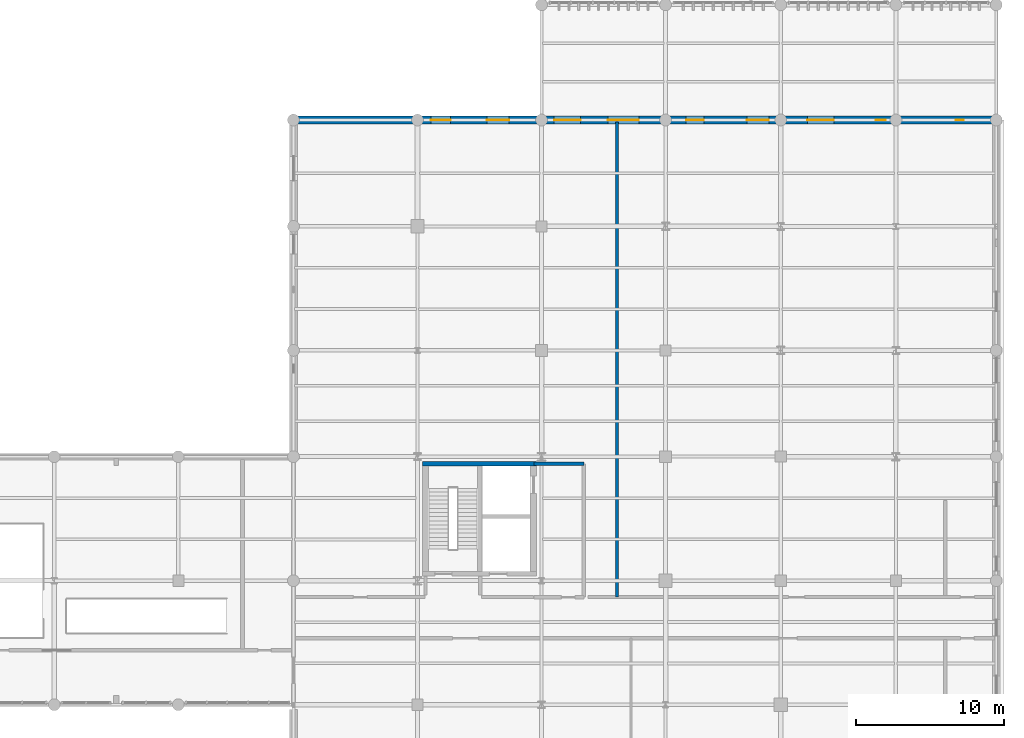
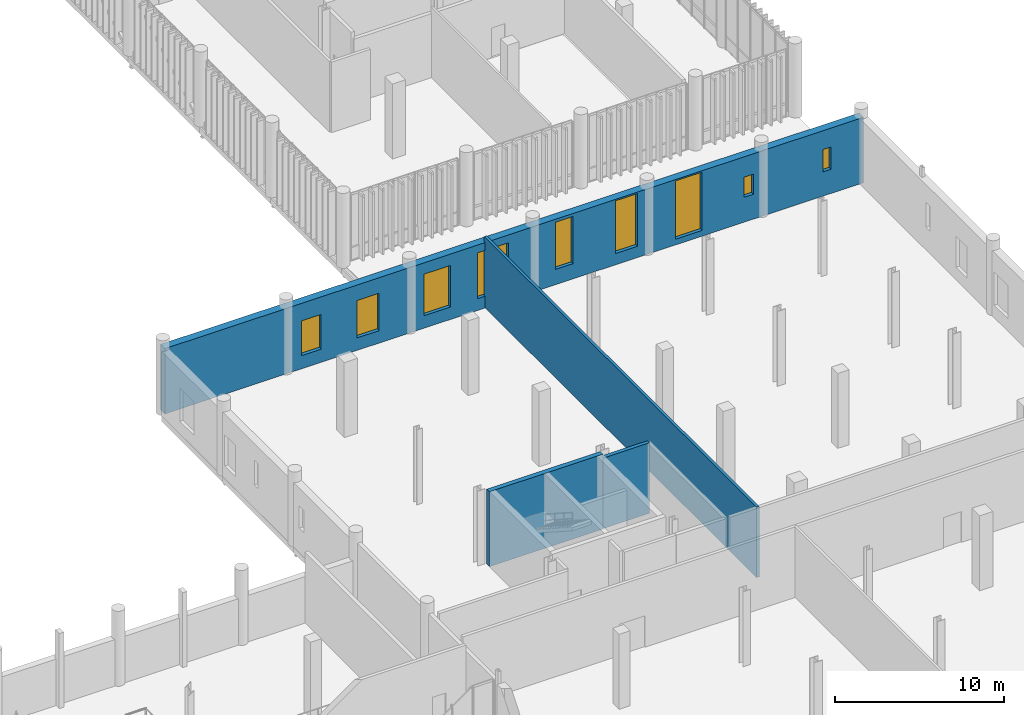
# One storey, part 112 of 128: 9 windows, 4 walls, 9 openings.
"""IFC4 building model written with IfcOpenShell, lengths in metres."""

from ifc_helpers import new_model, si_unit, direction, frame, frame_2d, origin_with_axes, place, context, subcontext, project, spatial, rectangle, extrude, material, layer, layer_set, type_object, element, fill, save


model = new_model("IFC4")

# Units and contexts
model_context = context("Model", 3, precision=1e-05, world=origin_with_axes(), true_north=direction((0.0, 1.0)))
body_context = subcontext(model_context, "Body", "Model", "MODEL_VIEW")
ifc_project = project(units=[si_unit("LENGTHUNIT", "METRE"), si_unit("AREAUNIT", "SQUARE_METRE"), si_unit("VOLUMEUNIT", "CUBIC_METRE"), si_unit("PLANEANGLEUNIT", "RADIAN"), si_unit("MASSUNIT", "GRAM", prefix="KILO"), si_unit("THERMODYNAMICTEMPERATUREUNIT", "KELVIN")], contexts=[model_context])

# Site, building, storey
site_placement = place(None, origin_with_axes())
site = spatial("IfcSite", under=ifc_project, at=site_placement, CompositionType="ELEMENT")
building_placement = place(site_placement, origin_with_axes())
building = spatial("IfcBuilding", under=site, at=building_placement, Name="Montbau Bow Law Courts", CompositionType="ELEMENT")
storey_placement = place(building_placement, frame((0.0, 0.0, 5.4), z_axis=(0.0, 0.0, 1.0), x_axis=(1.0, 0.0, 0.0)))
storey = spatial("IfcBuildingStorey", under=building, at=storey_placement, Name="L01", CompositionType="ELEMENT", Elevation=5.4)

# Wall
ifc_material_1 = material(Name="Concrete CSA A23.1 f'c 45 MPa", Category="concrete")
ifc_layer_1 = layer(ifc_material_1, 0.32, Name="Shear Wall", Category="concrete")
ifc_layer_set_1 = layer_set([ifc_layer_1], Name="Concrete CSA A23.1 f'c 45 MPa")
wall_type_1 = type_object("IfcWallType", Name="W-COR-05", PredefinedType="SHEAR", material=ifc_layer_set_1)
wall_1_placement = place(None, frame((138.27, 38.52, 5.4), z_axis=(0.0, 0.0, 1.0), x_axis=(-1.0, 0.0, 0.0)))
element("IfcWall", 1, at=wall_1_placement, inside=storey, type_object=wall_type_1, Name="WC-L01-0499:wal_0566", PredefinedType="SHEAR", context=body_context, shape_type="SweptSolid", body=[
    extrude(rectangle(XDim=7.740000000000009, YDim=0.32, at=frame_2d((3.87, 0.0), x_axis=(1.0, 0.0))), origin_with_axes(), (0.0, 0.0, 1.0), 5.4),
])

# Wall, openings, windows
ifc_material_2 = material(Name="Canmore Rundlestone Plinth Masonry on Concrete Backing CSA A23.1 f'c 35 MPa", Category="masonry")
ifc_layer_2 = layer(ifc_material_2, 0.52, Name="Solid Wall", Category="masonry")
ifc_layer_set_2 = layer_set([ifc_layer_2], Name="Canmore Rundlestone Plinth Masonry on Concrete Backing CSA A23.1 f'c 35 MPa")
wall_type_2 = type_object("IfcWallType", Name="W-EXT-02", PredefinedType="SOLIDWALL", material=ifc_layer_set_2)
wall_2_placement = place(None, frame((169.4, 61.8, 5.4), z_axis=(0.0, 0.0, 1.0), x_axis=(-1.0, 0.0, 0.0)))
wall_2 = element("IfcWall", 2, at=wall_2_placement, inside=storey, type_object=wall_type_2, Name="WE-L01-016:wal_0033", PredefinedType="SOLIDWALL", context=body_context, shape_type="SweptSolid", body=[
    extrude(rectangle(XDim=47.60000000000001, YDim=0.52, at=frame_2d((23.8, 0.0), x_axis=(1.0, 0.0))), origin_with_axes(), (0.0, 0.0, 1.0), 4.714),
])
opening_1_placement = place(None, frame((166.925, 61.8, 7.15), z_axis=(0.0, 0.0, 1.0), x_axis=(-1.0, 0.0, 0.0)))
opening_1 = element("IfcOpeningElement", 3, at=opening_1_placement, cuts=wall_2, Name="OP-WN-L01-083", PredefinedType="OPENING", context=body_context, shape_type="SweptSolid", body=[
    extrude(rectangle(XDim=0.55, YDim=1.6, at=frame_2d((0.0, 0.8), x_axis=(1.0, 0.0))), frame((0.0, 0.27, 0.0), z_axis=(0.0, -1.0, 0.0), x_axis=(1.0, 0.0, 0.0)), (0.0, 0.0, 1.0), 0.54),
])
opening_2_placement = place(None, frame((161.575, 61.8, 7.2), z_axis=(0.0, 0.0, 1.0), x_axis=(-1.0, 0.0, 0.0)))
opening_2 = element("IfcOpeningElement", 4, at=opening_2_placement, cuts=wall_2, Name="OP-WN-L01-084", PredefinedType="OPENING", context=body_context, shape_type="SweptSolid", body=[
    extrude(rectangle(XDim=0.65, YDim=1.45, at=frame_2d((0.0, 0.725), x_axis=(1.0, 0.0))), frame((0.0, 0.27, 0.0), z_axis=(0.0, -1.0, 0.0), x_axis=(1.0, 0.0, 0.0)), (0.0, 0.0, 1.0), 0.54),
])
opening_3_placement = place(None, frame((157.5, 61.8, 5.814), z_axis=(0.0, 0.0, 1.0), x_axis=(-1.0, 0.0, 0.0)))
opening_3 = element("IfcOpeningElement", 5, at=opening_3_placement, cuts=wall_2, Name="OP-WN-L01-085", PredefinedType="OPENING", context=body_context, shape_type="SweptSolid", body=[
    extrude(rectangle(XDim=1.8, YDim=4.2, at=frame_2d((0.0, 2.1), x_axis=(1.0, 0.0))), frame((0.0, 0.27, 0.0), z_axis=(0.0, -1.0, 0.0), x_axis=(1.0, 0.0, 0.0)), (0.0, 0.0, 1.0), 0.54),
])
opening_4_placement = place(None, frame((153.25, 61.8, 6.214), z_axis=(0.0, 0.0, 1.0), x_axis=(-1.0, 0.0, 0.0)))
opening_4 = element("IfcOpeningElement", 6, at=opening_4_placement, cuts=wall_2, Name="OP-WN-L01-086", PredefinedType="OPENING", context=body_context, shape_type="SweptSolid", body=[
    extrude(rectangle(XDim=1.5, YDim=3.8, at=frame_2d((0.0, 1.9), x_axis=(1.0, 0.0))), frame((0.0, 0.27, 0.0), z_axis=(0.0, -1.0, 0.0), x_axis=(1.0, 0.0, 0.0)), (0.0, 0.0, 1.0), 0.54),
])
opening_5_placement = place(None, frame((149.0, 61.8, 6.5), z_axis=(0.0, 0.0, 1.0), x_axis=(-1.0, 0.0, 0.0)))
opening_5 = element("IfcOpeningElement", 7, at=opening_5_placement, cuts=wall_2, Name="OP-WN-L01-087", PredefinedType="OPENING", context=body_context, shape_type="SweptSolid", body=[
    extrude(rectangle(XDim=1.2, YDim=3.4, at=frame_2d((0.0, 1.7), x_axis=(1.0, 0.0))), frame((0.0, 0.27, 0.0), z_axis=(0.0, -1.0, 0.0), x_axis=(1.0, 0.0, 0.0)), (0.0, 0.0, 1.0), 0.54),
])
opening_6_placement = place(None, frame((144.15, 61.8, 6.25), z_axis=(0.0, 0.0, 1.0), x_axis=(-1.0, 0.0, 0.0)))
opening_6 = element("IfcOpeningElement", 8, at=opening_6_placement, cuts=wall_2, Name="OP-WN-L01-088", PredefinedType="OPENING", context=body_context, shape_type="SweptSolid", body=[
    extrude(rectangle(XDim=2.1, YDim=3.3, at=frame_2d((0.0, 1.65), x_axis=(1.0, 0.0))), frame((0.0, 0.27, 0.0), z_axis=(0.0, -1.0, 0.0), x_axis=(1.0, 0.0, 0.0)), (0.0, 0.0, 1.0), 0.54),
])
opening_7_placement = place(None, frame((140.35, 61.8, 6.3), z_axis=(0.0, 0.0, 1.0), x_axis=(-1.0, 0.0, 0.0)))
opening_7 = element("IfcOpeningElement", 9, at=opening_7_placement, cuts=wall_2, Name="OP-WN-L01-089", PredefinedType="OPENING", context=body_context, shape_type="SweptSolid", body=[
    extrude(rectangle(XDim=1.8, YDim=3.0, at=frame_2d((0.0, 1.5), x_axis=(1.0, 0.0))), frame((0.0, 0.27, 0.0), z_axis=(0.0, -1.0, 0.0), x_axis=(1.0, 0.0, 0.0)), (0.0, 0.0, 1.0), 0.54),
])
opening_8_placement = place(None, frame((135.65, 61.8, 6.3), z_axis=(0.0, 0.0, 1.0), x_axis=(-1.0, 0.0, 0.0)))
opening_8 = element("IfcOpeningElement", 10, at=opening_8_placement, cuts=wall_2, Name="OP-WN-L01-090", PredefinedType="OPENING", context=body_context, shape_type="SweptSolid", body=[
    extrude(rectangle(XDim=1.5, YDim=2.7, at=frame_2d((0.0, 1.35), x_axis=(1.0, 0.0))), frame((0.0, 0.27, 0.0), z_axis=(0.0, -1.0, 0.0), x_axis=(1.0, 0.0, 0.0)), (0.0, 0.0, 1.0), 0.54),
])
opening_9_placement = place(None, frame((131.775, 61.8, 6.35), z_axis=(0.0, 0.0, 1.0), x_axis=(-1.0, 0.0, 0.0)))
opening_9 = element("IfcOpeningElement", 11, at=opening_9_placement, cuts=wall_2, Name="OP-WN-L01-091", PredefinedType="OPENING", context=body_context, shape_type="SweptSolid", body=[
    extrude(rectangle(XDim=1.35, YDim=2.5, at=frame_2d((0.0, 1.25), x_axis=(1.0, 0.0))), frame((0.0, 0.27, 0.0), z_axis=(0.0, -1.0, 0.0), x_axis=(1.0, 0.0, 0.0)), (0.0, 0.0, 1.0), 0.54),
])
ifc_material_3 = material(Name="Triple-Glazed Low-E Argon Insulating Glass Unit", Category="glass")
window_type_1 = type_object("IfcWindowType", Name="WN-CER-01", ParameterTakesPrecedence=False, PartitioningType="SINGLE_PANEL", PredefinedType="WINDOW", material=ifc_material_3)
window_1_placement = place(None, frame((157.5, 61.8, 5.814), z_axis=(0.0, 0.0, 1.0), x_axis=(-1.0, 0.0, 0.0)))
window_1 = element("IfcWindow", 12, at=window_1_placement, inside=storey, type_object=window_type_1, Name="WN-L01-085:win_0085", OverallHeight=4.2, OverallWidth=1.8, PartitioningType="SINGLE_PANEL", PredefinedType="WINDOW", context=body_context, shape_type="SweptSolid", body=[
    extrude(rectangle(XDim=1.8, YDim=4.2, at=frame_2d((0.0, 2.1), x_axis=(1.0, 0.0))), frame((0.0, 0.03, 0.0), z_axis=(0.0, -1.0, 0.0), x_axis=(1.0, 0.0, 0.0)), (0.0, 0.0, 1.0), 0.06),
])
fill(opening_3, window_1)
window_type_2 = type_object("IfcWindowType", Name="WN-CER-02", ParameterTakesPrecedence=False, PartitioningType="SINGLE_PANEL", PredefinedType="WINDOW", material=ifc_material_3)
window_2_placement = place(None, frame((153.25, 61.8, 6.214), z_axis=(0.0, 0.0, 1.0), x_axis=(-1.0, 0.0, 0.0)))
window_2 = element("IfcWindow", 13, at=window_2_placement, inside=storey, type_object=window_type_2, Name="WN-L01-086:win_0086", OverallHeight=3.8, OverallWidth=1.5, PartitioningType="SINGLE_PANEL", PredefinedType="WINDOW", context=body_context, shape_type="SweptSolid", body=[
    extrude(rectangle(XDim=1.5, YDim=3.8, at=frame_2d((0.0, 1.9), x_axis=(1.0, 0.0))), frame((0.0, 0.03, 0.0), z_axis=(0.0, -1.0, 0.0), x_axis=(1.0, 0.0, 0.0)), (0.0, 0.0, 1.0), 0.06),
])
fill(opening_4, window_2)
window_type_3 = type_object("IfcWindowType", Name="WN-CER-03", ParameterTakesPrecedence=False, PartitioningType="SINGLE_PANEL", PredefinedType="WINDOW", material=ifc_material_3)
window_3_placement = place(None, frame((149.0, 61.8, 6.5), z_axis=(0.0, 0.0, 1.0), x_axis=(-1.0, 0.0, 0.0)))
window_3 = element("IfcWindow", 14, at=window_3_placement, inside=storey, type_object=window_type_3, Name="WN-L01-087:win_0087", OverallHeight=3.4, OverallWidth=1.2, PartitioningType="SINGLE_PANEL", PredefinedType="WINDOW", context=body_context, shape_type="SweptSolid", body=[
    extrude(rectangle(XDim=1.2, YDim=3.4, at=frame_2d((0.0, 1.7), x_axis=(1.0, 0.0))), frame((0.0, 0.03, 0.0), z_axis=(0.0, -1.0, 0.0), x_axis=(1.0, 0.0, 0.0)), (0.0, 0.0, 1.0), 0.06),
])
fill(opening_5, window_3)
ifc_material_4 = material(Name="Laminated Ballistic-Resistant Triple Security Glazing", Category="glass")
window_type_4 = type_object("IfcWindowType", Name="WN-CUS-02", ParameterTakesPrecedence=False, PartitioningType="SINGLE_PANEL", PredefinedType="WINDOW", material=ifc_material_4)
window_4_placement = place(None, frame((166.925, 61.8, 7.15), z_axis=(0.0, 0.0, 1.0), x_axis=(-1.0, 0.0, 0.0)))
window_4 = element("IfcWindow", 15, at=window_4_placement, inside=storey, type_object=window_type_4, Name="WN-L01-083:win_0083", OverallHeight=1.6, OverallWidth=0.55, PartitioningType="SINGLE_PANEL", PredefinedType="WINDOW", context=body_context, shape_type="SweptSolid", body=[
    extrude(rectangle(XDim=0.55, YDim=1.6, at=frame_2d((0.0, 0.8), x_axis=(1.0, 0.0))), frame((0.0, 0.03, 0.0), z_axis=(0.0, -1.0, 0.0), x_axis=(1.0, 0.0, 0.0)), (0.0, 0.0, 1.0), 0.06),
])
fill(opening_1, window_4)
window_type_5 = type_object("IfcWindowType", Name="WN-CUS-03", ParameterTakesPrecedence=False, PartitioningType="SINGLE_PANEL", PredefinedType="WINDOW", material=ifc_material_4)
window_5_placement = place(None, frame((161.575, 61.8, 7.2), z_axis=(0.0, 0.0, 1.0), x_axis=(-1.0, 0.0, 0.0)))
window_5 = element("IfcWindow", 16, at=window_5_placement, inside=storey, type_object=window_type_5, Name="WN-L01-084:win_0084", OverallHeight=1.45, OverallWidth=0.65, PartitioningType="SINGLE_PANEL", PredefinedType="WINDOW", context=body_context, shape_type="SweptSolid", body=[
    extrude(rectangle(XDim=0.65, YDim=1.45, at=frame_2d((0.0, 0.725), x_axis=(1.0, 0.0))), frame((0.0, 0.03, 0.0), z_axis=(0.0, -1.0, 0.0), x_axis=(1.0, 0.0, 0.0)), (0.0, 0.0, 1.0), 0.06),
])
fill(opening_2, window_5)
window_type_6 = type_object("IfcWindowType", Name="WN-PLN-01", ParameterTakesPrecedence=False, PartitioningType="SINGLE_PANEL", PredefinedType="WINDOW", material=ifc_material_3)
window_6_placement = place(None, frame((144.15, 61.8, 6.25), z_axis=(0.0, 0.0, 1.0), x_axis=(-1.0, 0.0, 0.0)))
window_6 = element("IfcWindow", 17, at=window_6_placement, inside=storey, type_object=window_type_6, Name="WN-L01-088:win_0088", OverallHeight=3.3, OverallWidth=2.1, PartitioningType="SINGLE_PANEL", PredefinedType="WINDOW", context=body_context, shape_type="SweptSolid", body=[
    extrude(rectangle(XDim=2.1, YDim=3.3, at=frame_2d((0.0, 1.65), x_axis=(1.0, 0.0))), frame((0.0, 0.03, 0.0), z_axis=(0.0, -1.0, 0.0), x_axis=(1.0, 0.0, 0.0)), (0.0, 0.0, 1.0), 0.06),
])
fill(opening_6, window_6)
window_type_7 = type_object("IfcWindowType", Name="WN-PLN-02", ParameterTakesPrecedence=False, PartitioningType="SINGLE_PANEL", PredefinedType="WINDOW", material=ifc_material_3)
window_7_placement = place(None, frame((140.35, 61.8, 6.3), z_axis=(0.0, 0.0, 1.0), x_axis=(-1.0, 0.0, 0.0)))
window_7 = element("IfcWindow", 18, at=window_7_placement, inside=storey, type_object=window_type_7, Name="WN-L01-089:win_0089", OverallHeight=3.0, OverallWidth=1.8, PartitioningType="SINGLE_PANEL", PredefinedType="WINDOW", context=body_context, shape_type="SweptSolid", body=[
    extrude(rectangle(XDim=1.8, YDim=3.0, at=frame_2d((0.0, 1.5), x_axis=(1.0, 0.0))), frame((0.0, 0.03, 0.0), z_axis=(0.0, -1.0, 0.0), x_axis=(1.0, 0.0, 0.0)), (0.0, 0.0, 1.0), 0.06),
])
fill(opening_7, window_7)
window_type_8 = type_object("IfcWindowType", Name="WN-PLN-03", ParameterTakesPrecedence=False, PartitioningType="SINGLE_PANEL", PredefinedType="WINDOW", material=ifc_material_3)
window_8_placement = place(None, frame((135.65, 61.8, 6.3), z_axis=(0.0, 0.0, 1.0), x_axis=(-1.0, 0.0, 0.0)))
window_8 = element("IfcWindow", 19, at=window_8_placement, inside=storey, type_object=window_type_8, Name="WN-L01-090:win_0090", OverallHeight=2.7, OverallWidth=1.5, PartitioningType="SINGLE_PANEL", PredefinedType="WINDOW", context=body_context, shape_type="SweptSolid", body=[
    extrude(rectangle(XDim=1.5, YDim=2.7, at=frame_2d((0.0, 1.35), x_axis=(1.0, 0.0))), frame((0.0, 0.03, 0.0), z_axis=(0.0, -1.0, 0.0), x_axis=(1.0, 0.0, 0.0)), (0.0, 0.0, 1.0), 0.06),
])
fill(opening_8, window_8)
window_type_9 = type_object("IfcWindowType", Name="WN-PLN-04", ParameterTakesPrecedence=False, PartitioningType="SINGLE_PANEL", PredefinedType="WINDOW", material=ifc_material_3)
window_9_placement = place(None, frame((131.775, 61.8, 6.35), z_axis=(0.0, 0.0, 1.0), x_axis=(-1.0, 0.0, 0.0)))
window_9 = element("IfcWindow", 20, at=window_9_placement, inside=storey, type_object=window_type_9, Name="WN-L01-091:win_0091", OverallHeight=2.5, OverallWidth=1.35, PartitioningType="SINGLE_PANEL", PredefinedType="WINDOW", context=body_context, shape_type="SweptSolid", body=[
    extrude(rectangle(XDim=1.35, YDim=2.5, at=frame_2d((0.0, 1.25), x_axis=(1.0, 0.0))), frame((0.0, 0.03, 0.0), z_axis=(0.0, -1.0, 0.0), x_axis=(1.0, 0.0, 0.0)), (0.0, 0.0, 1.0), 0.06),
])
fill(opening_9, window_9)

# Walls
ifc_material_5 = material(Name="2 h Shaft and Exit-Passage Fire Separation Partition", Category="gypsum")
ifc_layer_3 = layer(ifc_material_5, 0.25, Name="Partition", Category="gypsum")
ifc_layer_set_3 = layer_set([ifc_layer_3], Name="2 h Shaft and Exit-Passage Fire Separation Partition")
wall_type_3 = type_object("IfcWallType", Name="W-PRT-01", PredefinedType="PARTITIONING", material=ifc_layer_set_3)
wall_3_placement = place(None, frame((138.1, 38.52, 5.4), z_axis=(0.0, 0.0, 1.0), x_axis=(1.0, 0.0, 0.0)))
element("IfcWall", 21, at=wall_3_placement, inside=storey, type_object=wall_type_3, Name="WEL-L01-0505:wal_0572", PredefinedType="PARTITIONING", context=body_context, shape_type="SweptSolid", body=[
    extrude(rectangle(XDim=3.3600000000000136, YDim=0.25, at=frame_2d((1.68, 0.0), x_axis=(1.0, 0.0))), origin_with_axes(), (0.0, 0.0, 1.0), 5.08),
])
ifc_material_6 = material(Name="1 h Corridor Fire-Rated Gypsum Partition", Category="gypsum")
ifc_layer_4 = layer(ifc_material_6, 0.18, Name="Partition", Category="gypsum")
ifc_layer_set_4 = layer_set([ifc_layer_4], Name="1 h Corridor Fire-Rated Gypsum Partition")
wall_type_4 = type_object("IfcWallType", Name="W-PRT-04", PredefinedType="PARTITIONING", material=ifc_layer_set_4)
wall_4_placement = place(None, frame((143.714, 29.49, 5.4), z_axis=(0.0, 0.0, 1.0), x_axis=(0.0, 1.0, 0.0)))
element("IfcWall", 22, at=wall_4_placement, inside=storey, type_object=wall_type_4, Name="WD-L01-0726:wal_0793", PredefinedType="PARTITIONING", context=body_context, shape_type="SweptSolid", body=[
    extrude(rectangle(XDim=32.17, YDim=0.18, at=frame_2d((16.085, 0.0), x_axis=(1.0, 0.0))), origin_with_axes(), (0.0, 0.0, 1.0), 5.08),
])

save(model, "model.ifc")
